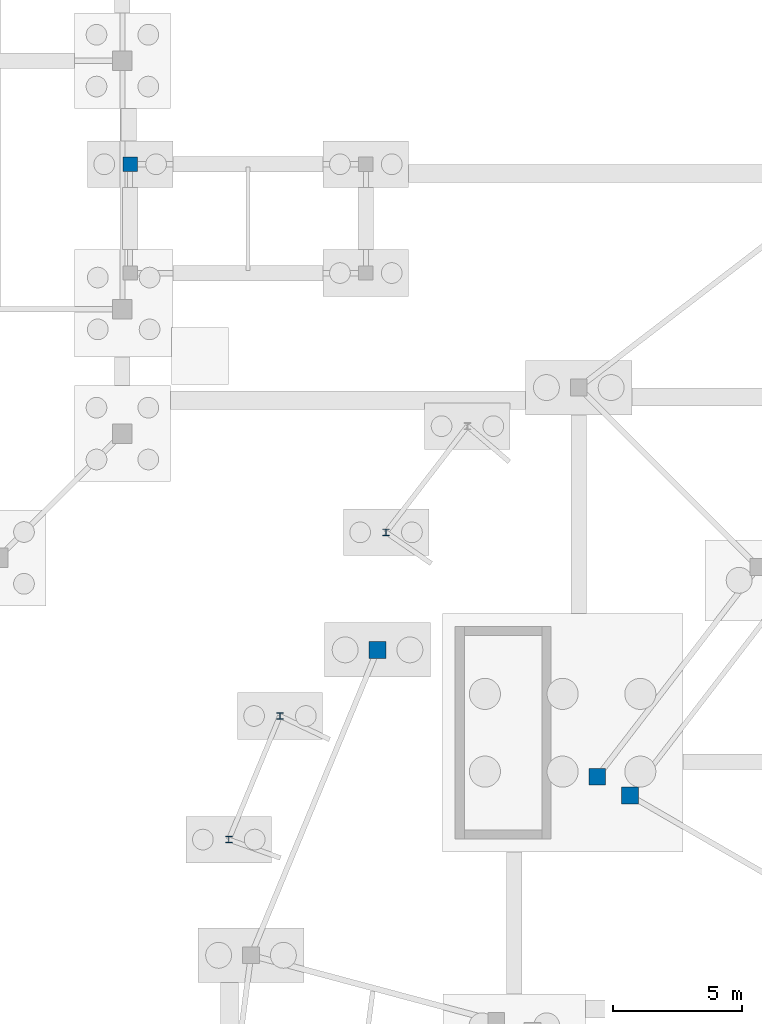
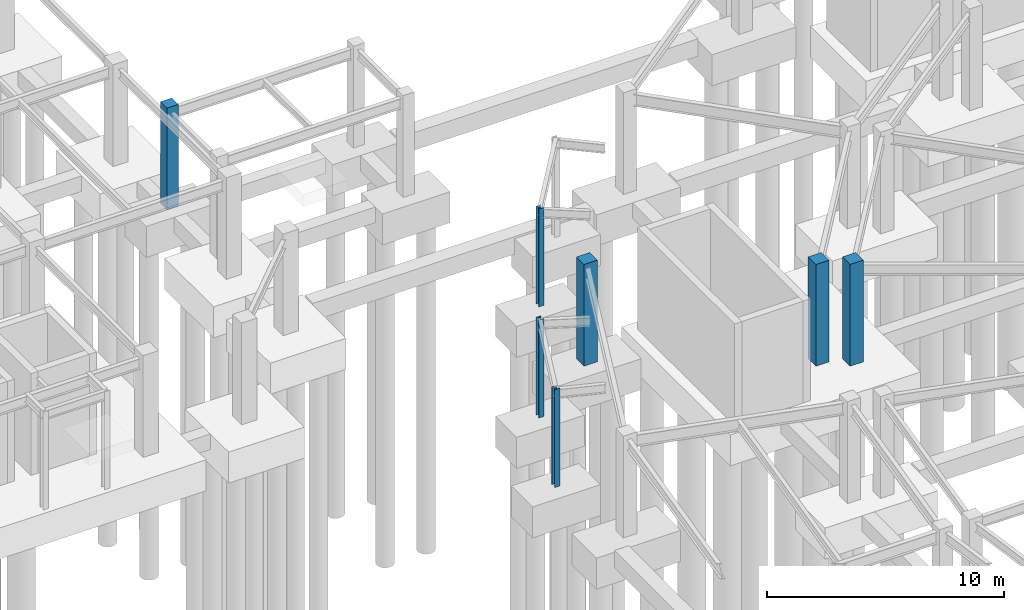
# One storey, part 20 of 55: 7 columns.
"""IFC4 building model written with IfcOpenShell, lengths in metres."""

from ifc_helpers import new_model, si_unit, direction, frame, origin, origin_2d, place, context, subcontext, project, spatial, rectangle, i_section, extrude, material, material_profile, profile_set, type_object, element, save


model = new_model("IFC4")

# Units and contexts
model_context = context("Model", 3, precision=1e-05, world=origin(), true_north=direction((0.0, 1.0)))
body_context = subcontext(model_context, "Body", "Model", "MODEL_VIEW")
ifc_project = project(units=[si_unit("LENGTHUNIT", "METRE"), si_unit("AREAUNIT", "SQUARE_METRE"), si_unit("VOLUMEUNIT", "CUBIC_METRE"), si_unit("PLANEANGLEUNIT", "RADIAN"), si_unit("MASSUNIT", "GRAM", prefix="KILO")], contexts=[model_context])

# Site, building, storey
site_placement = place(None, origin())
site = spatial("IfcSite", under=ifc_project, at=site_placement, CompositionType="ELEMENT")
building_placement = place(site_placement, origin())
building = spatial("IfcBuilding", under=site, at=building_placement, Name="Almandine Court Research Institute", CompositionType="ELEMENT")
storey_placement = place(building_placement, frame((0.0, 0.0, -5.25)))
storey = spatial("IfcBuildingStorey", under=building, at=storey_placement, Name="B1", CompositionType="ELEMENT", Elevation=-5.25)

# Columns
ifc_material_1 = material(Name="Concrete C40/50", Category="concrete")
ifc_material_profile_1 = material_profile(ifc_material_1, rectangle(XDim=0.64990234375, YDim=0.64990234375, at=origin_2d()), Name="RC 650x650")
ifc_profile_set_1 = profile_set([ifc_material_profile_1], Name="Concrete C40/50")
column_type_1 = type_object("IfcColumnType", Name="Col-C-RC2", PredefinedType="COLUMN", material=ifc_profile_set_1)
for number, where, z_axis, x_axis, name in (
    (1, (53.137939453125, 75.550048828125, 0.0), (0.0, 0.0, 1.0), (1.0, 0.0, 0.0), "B1 V5 Column V5-IN-S10"),
    (2, (44.65087890625, 80.449951171875, 0.0), (0.0, 0.0, 1.0), (1.0, 0.0, 0.0), "B1 V5 Column V5-OUT-S10"),
    (3, (54.39404296875, 74.824951171875, 0.0), (0.0, 0.0, 1.0), (1.0, 0.0, 0.0), "B1 V2 Column V2-OUT-S10"),
):
    element("IfcColumn", number, at=place(storey_placement, frame(where, z_axis=z_axis, x_axis=x_axis)), inside=storey, type_object=column_type_1, Name=name, PredefinedType="COLUMN", context=body_context, shape_type="SweptSolid", body=[
        extrude(rectangle(XDim=0.64990234375, YDim=0.64990234375, at=origin_2d()), origin(), (0.0, 0.0, 1.0), 5.25),
    ])
ifc_material_profile_2 = material_profile(ifc_material_1, rectangle(XDim=0.550048828125, YDim=0.550048828125, at=origin_2d()), Name="RC 550x550")
ifc_profile_set_2 = profile_set([ifc_material_profile_2], Name="Concrete C40/50")
column_type_2 = type_object("IfcColumnType", Name="Col-C-RC3", PredefinedType="COLUMN", material=ifc_profile_set_2)
column_placement = place(storey_placement, frame((35.10009765625, 99.199951171875, 0.0), z_axis=(0.0, 0.0, 1.0), x_axis=(1.0, 0.0, 0.0)))
element("IfcColumn", 4, at=column_placement, inside=storey, type_object=column_type_2, Name="B1 DAL-NW Column DAL-NW-X1Y2", PredefinedType="COLUMN", context=body_context, shape_type="SweptSolid", body=[
    extrude(rectangle(XDim=0.550048828125, YDim=0.550048828125, at=origin_2d()), origin(), (0.0, 0.0, 1.0), 5.25),
])
ifc_material_2 = material(Name="Steel ASTM A992 Grade 50", Category="steel")
ifc_material_profile_3 = material_profile(ifc_material_2, i_section(OverallWidth=0.25390625, OverallDepth=0.2529296875, WebThickness=0.009033203125, FlangeThickness=0.013916015625, at=origin_2d()), Name="W250x73")
ifc_profile_set_3 = profile_set([ifc_material_profile_3], Name="Steel ASTM A992 Grade 50")
column_type_3 = type_object("IfcColumnType", Name="Col-C-W10", PredefinedType="COLUMN", material=ifc_profile_set_3)
for number, where, z_axis, x_axis, name in (
    (5, (44.97900390625, 84.988037109375, 0.0), (0.0, 0.0, 1.0), (1.0, 0.0, 0.0), "B1 Exterior Threshold Support Column PAD-DRUM-S09-C2"),
    (6, (40.885009765625, 77.89697265625, 0.0), (0.0, 0.0, 1.0), (1.0, 0.0, 0.0), "B1 Exterior Threshold Support Column PAD-DRUM-S10-C1"),
    (7, (38.907958984375, 73.125, 0.0), (0.0, 0.0, 1.0), (1.0, 0.0, 0.0), "B1 Exterior Threshold Support Column PAD-DRUM-S10-C2"),
):
    element("IfcColumn", number, at=place(storey_placement, frame(where, z_axis=z_axis, x_axis=x_axis)), inside=storey, type_object=column_type_3, Name=name, PredefinedType="COLUMN", context=body_context, shape_type="SweptSolid", body=[
        extrude(i_section(OverallWidth=0.25390625, OverallDepth=0.2529296875, WebThickness=0.009033203125, FlangeThickness=0.013916015625, at=origin_2d()), origin(), (0.0, 0.0, 1.0), 5.050048828125),
    ])

save(model, "model.ifc")
